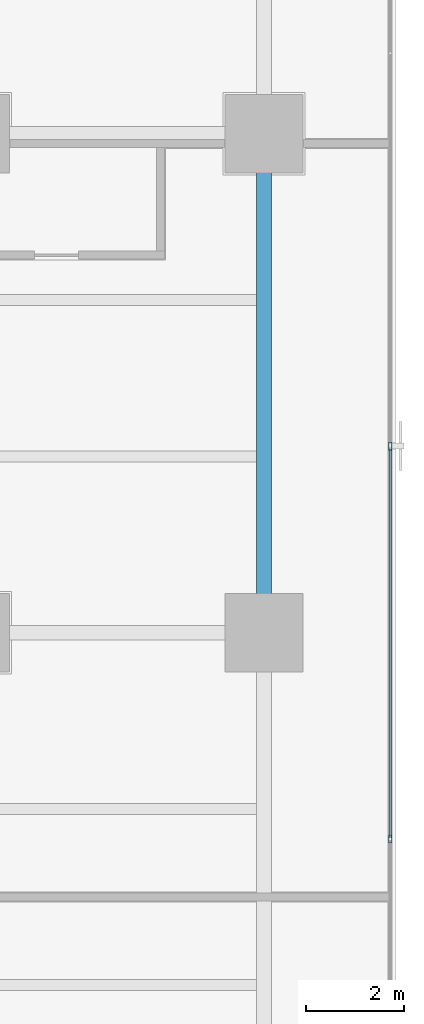
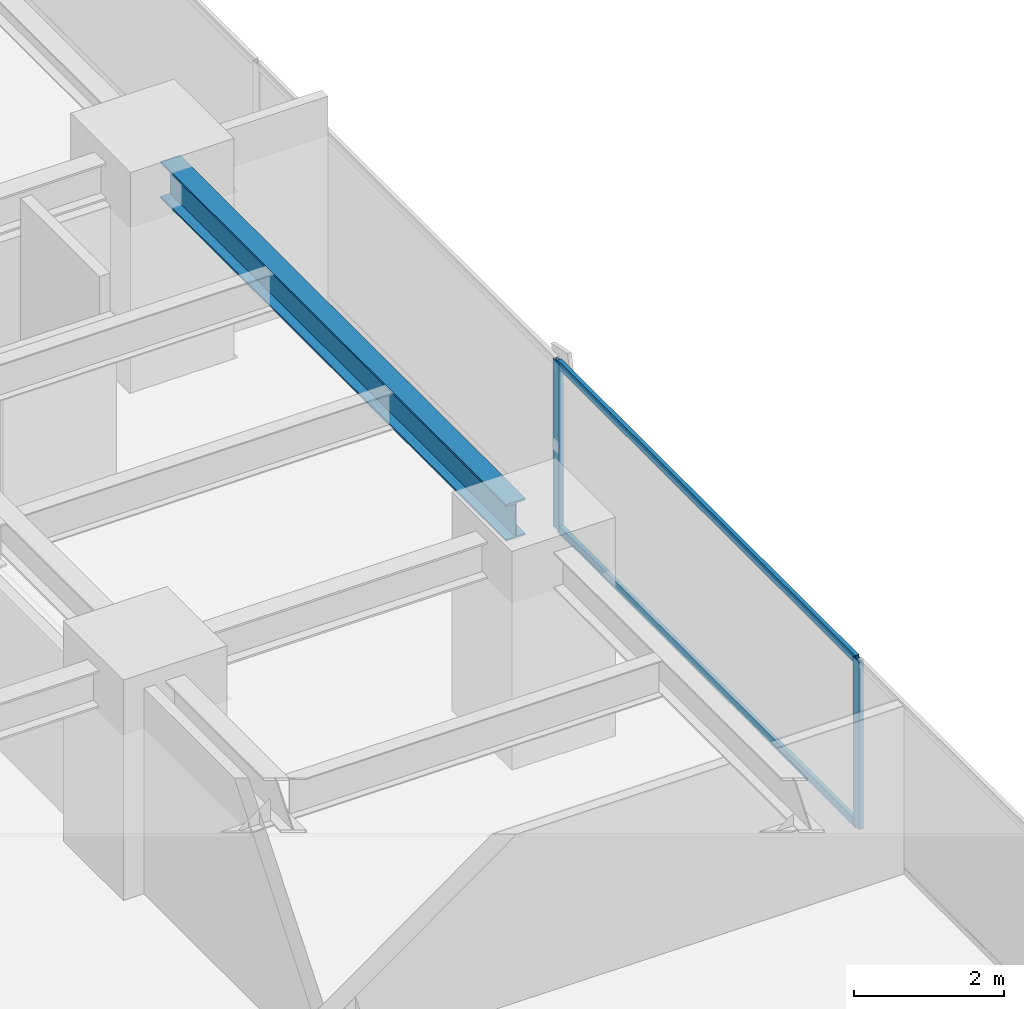
# One storey, part 16 of 34: 4 members, 1 beam, 1 element without a shape of its own.
"""IFC4 building model written with IfcOpenShell, lengths in metres."""

from ifc_helpers import new_model, si_unit, direction, frame, origin, origin_2d, place, context, subcontext, project, spatial, hollow_rectangle, i_section, extrude, source, transform, mapped, material, layer, layer_set, material_profile, profile_set, type_object, element, aggregate, save


model = new_model("IFC4")

# Units and contexts
model_context = context("Model", 3, precision=1e-05, world=origin(), true_north=direction((0.0, 1.0)))
body_context = subcontext(model_context, "Body", "Model", "MODEL_VIEW")
ifc_project = project(units=[si_unit("LENGTHUNIT", "METRE"), si_unit("AREAUNIT", "SQUARE_METRE"), si_unit("VOLUMEUNIT", "CUBIC_METRE"), si_unit("PLANEANGLEUNIT", "RADIAN"), si_unit("MASSUNIT", "GRAM", prefix="KILO")], contexts=[model_context])

# Site, building, storey
site_placement = place(None, origin())
site = spatial("IfcSite", under=ifc_project, at=site_placement, CompositionType="ELEMENT")
building_placement = place(site_placement, origin())
building = spatial("IfcBuilding", under=site, at=building_placement, Name="Sumidabori Civic Tower", CompositionType="ELEMENT")
storey_placement = place(building_placement, frame((0.0, 0.0, 106.39990234375)))
storey = spatial("IfcBuildingStorey", under=building, at=storey_placement, Name="L27", CompositionType="ELEMENT", Elevation=106.39990234375)

# Beam
ifc_material_1 = material(Name="Steel SN490", Category="steel")
ifc_material_profile_1 = material_profile(ifc_material_1, i_section(OverallWidth=0.300048828125, OverallDepth=0.60009765625, WebThickness=0.015380859375, FlangeThickness=0.030029296875, at=origin_2d()), Name="HE 600 B")
ifc_profile_set_1 = profile_set([ifc_material_profile_1], Name="Steel SN490")
beam_type = type_object("IfcBeamType", Name="BM-GIRD-600", PredefinedType="BEAM", material=ifc_profile_set_1)
shared_shape_1 = source(origin(), body_context, "Body", "SweptSolid", [
    extrude(i_section(OverallWidth=0.300048828125, OverallDepth=0.60009765625, WebThickness=0.015380859375, FlangeThickness=0.030029296875, at=origin_2d()), origin(), (0.0, 0.0, 1.0), 9.239990234375),
])
beam_placement = place(storey_placement, frame((22.800048828125, 0.47998046875, 3.06005859375), z_axis=(0.0, 1.0, 0.0), x_axis=(-1.0, 0.0, 0.0)))
element("IfcBeam", 1, at=beam_placement, inside=storey, type_object=beam_type, Name="Primary Girder L27 GY-41", PredefinedType="BEAM", context=body_context, shape_type="MappedRepresentation", body=[
    mapped(shared_shape_1, transform((0.0, 0.0, 0.0), x_axis=(1.0, 0.0, 0.0), y_axis=(0.0, 1.0, 0.0), z_axis=(0.0, 0.0, 1.0), scale=1.0)),
])

# Curtain wall, members
ifc_material_2 = material(Name="Anodised Bronze Aluminium AW-6063-T6", Category="aluminium")
ifc_layer = layer(ifc_material_2, 0.179931640625, Name="Anodised Bronze Aluminium AW-6063-T6")
ifc_layer_set = layer_set([ifc_layer], Name="Anodised Bronze Aluminium AW-6063-T6")
curtain_wall_type = type_object("IfcCurtainWallType", Name="CW-SYS-3", PredefinedType="NOTDEFINED", material=ifc_layer_set)
curtain_wall_placement = place(storey_placement, origin())
curtain_wall = element("IfcCurtainWall", 2, at=curtain_wall_placement, inside=storey, type_object=curtain_wall_type, Name="Curtain Wall CW:L27:R04", PredefinedType="NOTDEFINED")
ifc_material_profile_2 = material_profile(ifc_material_2, hollow_rectangle(XDim=0.06494140625, YDim=0.159912109375, WallThickness=0.0048828125, at=origin_2d()), Name="ALU MULLION 160x65")
ifc_profile_set_2 = profile_set([ifc_material_profile_2], Name="Anodised Bronze Aluminium AW-6063-T6")
member_type_1 = type_object("IfcMemberType", Name="CW-MUL-160", PredefinedType="MULLION", material=ifc_profile_set_2)
shared_shape_2 = source(origin(), body_context, "Body", "SweptSolid", [
    extrude(hollow_rectangle(XDim=0.06494140625, YDim=0.159912109375, WallThickness=0.0048828125, at=origin_2d()), origin(), (0.0, 0.0, 1.0), 2.739990234375),
])
member_1_placement = place(storey_placement, frame((25.3798828125, -4.214111328125, 0.0), z_axis=(0.0, 0.0, 1.0), x_axis=(-1.0, 0.0, 0.0)))
member_1 = element("IfcMember", 3, at=member_1_placement, type_object=member_type_1, Name="CW-3 mullion 3", PredefinedType="MULLION", context=body_context, shape_type="MappedRepresentation", body=[
    mapped(shared_shape_2, transform((0.0, 0.0, 0.0), x_axis=(1.0, 0.0, 0.0), y_axis=(0.0, 1.0, 0.0), z_axis=(0.0, 0.0, 1.0), scale=1.0)),
])
member_2_placement = place(storey_placement, frame((25.3798828125, 3.81396484375, 0.0), z_axis=(0.0, 0.0, 1.0), x_axis=(-1.0, 0.0, 0.0)))
member_2 = element("IfcMember", 4, at=member_2_placement, type_object=member_type_1, Name="CW-3 mullion 4", PredefinedType="MULLION", context=body_context, shape_type="MappedRepresentation", body=[
    mapped(shared_shape_2, transform((0.0, 0.0, 0.0), x_axis=(1.0, 0.0, 0.0), y_axis=(0.0, 1.0, 0.0), z_axis=(0.0, 0.0, 1.0), scale=1.0)),
])
ifc_material_profile_3 = material_profile(ifc_material_2, hollow_rectangle(XDim=0.06005859375, YDim=0.1298828125, WallThickness=0.0048828125, at=origin_2d()), Name="ALU TRANSOM 130x60")
ifc_profile_set_3 = profile_set([ifc_material_profile_3], Name="Anodised Bronze Aluminium AW-6063-T6")
member_type_2 = type_object("IfcMemberType", Name="CW-TRN-130", PredefinedType="USERDEFINED", material=ifc_profile_set_3)
shared_shape_3 = source(origin(), body_context, "Body", "SweptSolid", [
    extrude(hollow_rectangle(XDim=0.06005859375, YDim=0.1298828125, WallThickness=0.0048828125, at=origin_2d()), origin(), (0.0, 0.0, 1.0), 7.962890625),
])
member_3_placement = place(storey_placement, frame((25.3798828125, -4.181396484375, 0.030029296875), z_axis=(0.0, 1.0, 0.0), x_axis=(-1.0, 0.0, 0.0)))
member_3 = element("IfcMember", 5, at=member_3_placement, type_object=member_type_2, Name="CW-3 transom 3.1", ObjectType="TRANSOM", PredefinedType="USERDEFINED", context=body_context, shape_type="MappedRepresentation", body=[
    mapped(shared_shape_3, transform((0.0, 0.0, 0.0), x_axis=(1.0, 0.0, 0.0), y_axis=(0.0, 1.0, 0.0), z_axis=(0.0, 0.0, 1.0), scale=1.0)),
])
member_4_placement = place(storey_placement, frame((25.3798828125, -4.181396484375, 2.710205078125), z_axis=(0.0, 1.0, 0.0), x_axis=(-1.0, 0.0, 0.0)))
member_4 = element("IfcMember", 6, at=member_4_placement, type_object=member_type_2, Name="CW-3 transom 3.2", ObjectType="TRANSOM", PredefinedType="USERDEFINED", context=body_context, shape_type="MappedRepresentation", body=[
    mapped(shared_shape_3, transform((0.0, 0.0, 0.0), x_axis=(1.0, 0.0, 0.0), y_axis=(0.0, 1.0, 0.0), z_axis=(0.0, 0.0, 1.0), scale=1.0)),
])
aggregate(curtain_wall, [member_1, member_2, member_3, member_4])

save(model, "model.ifc")
